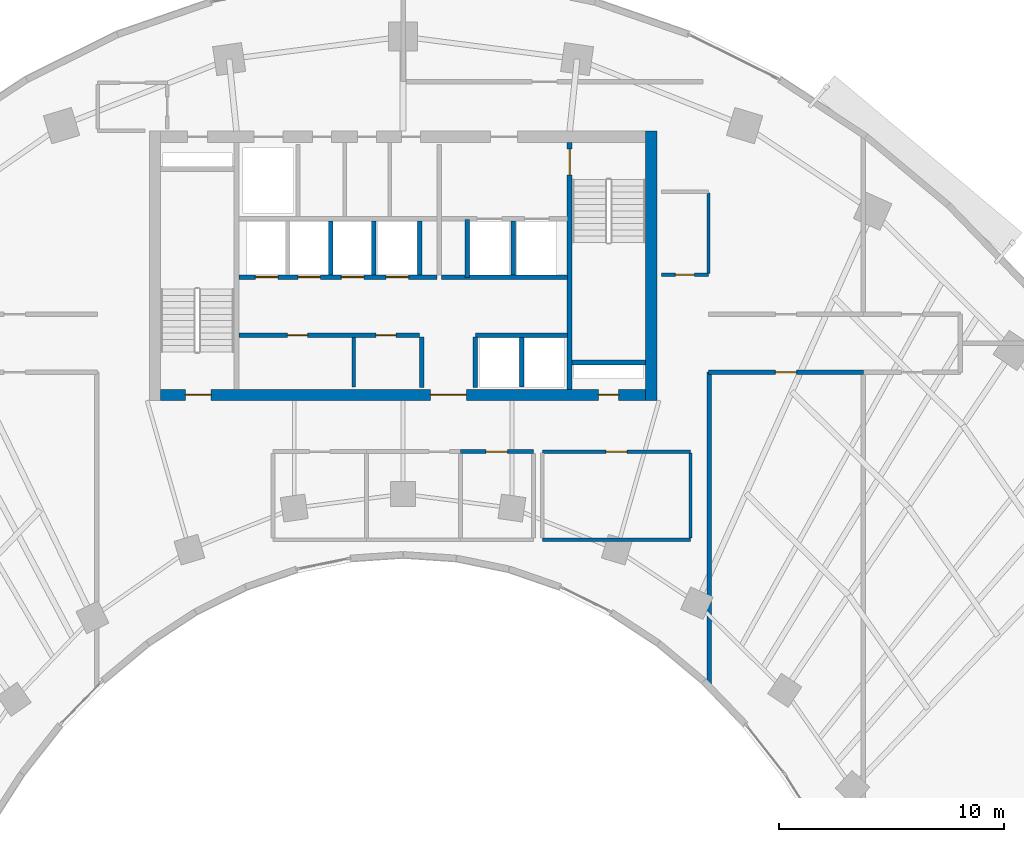
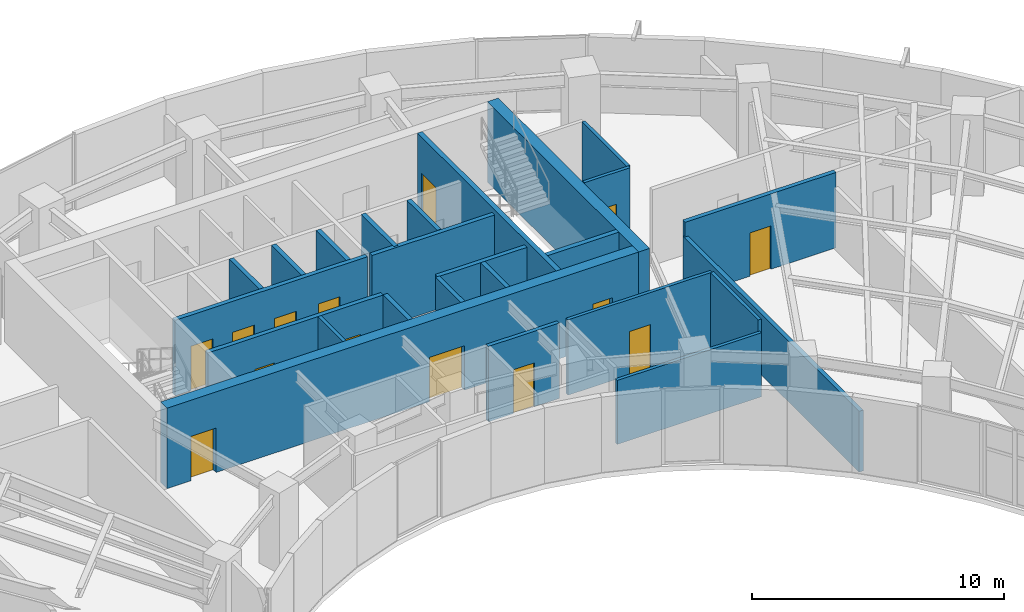
# One storey, part 9 of 14: 25 walls, 14 doors, 14 openings.
"""IFC4 building model written with IfcOpenShell, lengths in metres."""

from ifc_helpers import new_model, si_unit, direction, frame, frame_2d, origin, place, context, subcontext, project, spatial, rectangle, extrude, source, transform, mapped, material, layer, layer_set, type_object, type_shapes, element, fill, save


model = new_model("IFC4")

# Units and contexts
model_context = context("Model", 3, precision=1e-05, world=origin(), true_north=direction((0.0, 1.0)))
body_context = subcontext(model_context, "Body", "Model", "MODEL_VIEW")
ifc_project = project(units=[si_unit("LENGTHUNIT", "METRE"), si_unit("AREAUNIT", "SQUARE_METRE"), si_unit("VOLUMEUNIT", "CUBIC_METRE"), si_unit("PLANEANGLEUNIT", "RADIAN"), si_unit("MASSUNIT", "GRAM", prefix="KILO")], contexts=[model_context])

# Site, building, storey
site_placement = place(None, origin())
site = spatial("IfcSite", under=ifc_project, at=site_placement, CompositionType="ELEMENT")
building_placement = place(site_placement, origin())
building = spatial("IfcBuilding", under=site, at=building_placement, Name="Breltana Convention Tower", CompositionType="ELEMENT")
storey_placement = place(building_placement, frame((0.0, 0.0, 115.5)))
storey = spatial("IfcBuildingStorey", under=building, at=storey_placement, Name="L27", CompositionType="ELEMENT", Elevation=115.5)

# Wall
ifc_material_1 = material(Name="Concrete C60/75", Category="concrete")
ifc_layer_1 = layer(ifc_material_1, 0.5, Name="Concrete C60/75")
ifc_layer_set_1 = layer_set([ifc_layer_1], Name="Concrete C60/75")
wall_type_1 = type_object("IfcWallType", Name="SW-CORE-500", PredefinedType="SHEAR", material=ifc_layer_set_1)
shared_shape_1 = source(origin(), body_context, "Body", "SweptSolid", [
    extrude(rectangle(XDim=12.0, YDim=0.5, at=frame_2d((6.0, 0.0))), origin(), (0.0, 0.0, 1.0), 3.89990234375),
])
wall_1_placement = place(storey_placement, frame((59.050048828125, 60.199951171875, 0.0), z_axis=(0.0, 0.0, 1.0), x_axis=(0.0, 1.0, 0.0)))
element("IfcWall", 1, at=wall_1_placement, inside=storey, type_object=wall_type_1, Name="L27 East Core Shear Wall", PredefinedType="SHEAR", context=body_context, shape_type="MappedRepresentation", body=[
    mapped(shared_shape_1, transform((0.0, 0.0, 0.0), scale=1.0)),
])

# Wall, openings, doors
shared_shape_2 = source(origin(), body_context, "Body", "SweptSolid", [
    extrude(rectangle(XDim=21.60009765625, YDim=0.5, at=frame_2d((10.800048828125, 0.0))), origin(), (0.0, 0.0, 1.0), 3.89990234375),
])
wall_2_placement = place(storey_placement, frame((37.199951171875, 60.449951171875, 0.0), z_axis=(0.0, 0.0, 1.0), x_axis=(1.0, 0.0, 0.0)))
wall_2 = element("IfcWall", 2, at=wall_2_placement, inside=storey, type_object=wall_type_1, Name="L27 South Core Shear Wall", PredefinedType="SHEAR", context=body_context, shape_type="MappedRepresentation", body=[
    mapped(shared_shape_2, transform((0.0, 0.0, 0.0), scale=1.0)),
])
opening_1_placement = place(wall_2_placement, frame((1.10009765625, 0.0, 0.0)))
opening_1 = element("IfcOpeningElement", 3, at=opening_1_placement, cuts=wall_2, Name="Opening D-11", PredefinedType="OPENING", context=body_context, shape_type="SweptSolid", body=[
    extrude(rectangle(XDim=1.14990234375, YDim=2.14990234375, at=frame_2d((0.574951171875, 1.074951171875))), frame((0.0, 0.260009765625, 0.0), z_axis=(0.0, -1.0, 0.0), x_axis=(1.0, 0.0, 0.0)), (0.0, 0.0, 1.0), 0.52001953125),
])
opening_2_placement = place(wall_2_placement, frame((19.5, 0.0, 0.0)))
opening_2 = element("IfcOpeningElement", 4, at=opening_2_placement, cuts=wall_2, Name="Opening D-18", PredefinedType="OPENING", context=body_context, shape_type="SweptSolid", body=[
    extrude(rectangle(XDim=0.89990234375, YDim=2.10009765625, at=frame_2d((0.449951171875, 1.050048828125))), frame((0.0, 0.260009765625, 0.0), z_axis=(0.0, -1.0, 0.0), x_axis=(1.0, 0.0, 0.0)), (0.0, 0.0, 1.0), 0.52001953125),
])
opening_3_placement = place(wall_2_placement, frame((12.02001953125, 0.0, 0.0)))
opening_3 = element("IfcOpeningElement", 5, at=opening_3_placement, cuts=wall_2, Name="Opening D-02", PredefinedType="OPENING", context=body_context, shape_type="SweptSolid", body=[
    extrude(rectangle(XDim=1.60009765625, YDim=2.14990234375, at=frame_2d((0.800048828125, 1.074951171875))), frame((0.0, 0.260009765625, 0.0), z_axis=(0.0, -1.0, 0.0), x_axis=(1.0, 0.0, 0.0)), (0.0, 0.0, 1.0), 0.52001953125),
])
ifc_material_2 = material(Name="Steel Stair Exit Door", Category="steel")
door_type_1 = type_object("IfcDoorType", Name="DR-FD120-1150", OperationType="NOTDEFINED", PredefinedType="DOOR", material=ifc_material_2)
shared_shape_3 = source(origin(), body_context, "Body", "SweptSolid", [
    extrude(rectangle(XDim=1.14990234375, YDim=2.14990234375, at=frame_2d((0.574951171875, 1.074951171875))), frame((0.0, 0.02490234375, 0.0), z_axis=(0.0, -1.0, 0.0), x_axis=(1.0, 0.0, 0.0)), (0.0, 0.0, 1.0), 0.050048828125),
])
type_shapes(door_type_1, [shared_shape_3])
door_1_placement = place(opening_1_placement, origin())
door_1 = element("IfcDoor", 6, at=door_1_placement, inside=storey, type_object=door_type_1, Name="L27 interior door D-L27-ST1", OperationType="SINGLE_SWING_LEFT", OverallHeight=2.14990234375, OverallWidth=1.14990234375, PredefinedType="DOOR", context=body_context, shape_type="MappedRepresentation", body=[
    mapped(shared_shape_3, transform((0.0, 0.0, 0.0), scale=1.0)),
])
fill(opening_1, door_1)
ifc_material_3 = material(Name="Steel Riser Fire Door", Category="steel")
door_type_2 = type_object("IfcDoorType", Name="DR-FD60-900", OperationType="NOTDEFINED", PredefinedType="DOOR", material=ifc_material_3)
shared_shape_4 = source(origin(), body_context, "Body", "SweptSolid", [
    extrude(rectangle(XDim=0.89990234375, YDim=2.10009765625, at=frame_2d((0.449951171875, 1.050048828125))), frame((0.0, 0.02490234375, 0.0), z_axis=(0.0, -1.0, 0.0), x_axis=(1.0, 0.0, 0.0)), (0.0, 0.0, 1.0), 0.050048828125),
])
type_shapes(door_type_2, [shared_shape_4])
door_2_placement = place(opening_2_placement, origin())
door_2 = element("IfcDoor", 7, at=door_2_placement, inside=storey, type_object=door_type_2, Name="L27 Core Riser Access Door D-L27-RS2", OperationType="SINGLE_SWING_RIGHT", OverallHeight=2.10009765625, OverallWidth=0.89990234375, PredefinedType="DOOR", context=body_context, shape_type="MappedRepresentation", body=[
    mapped(shared_shape_4, transform((0.0, 0.0, 0.0), scale=1.0)),
])
fill(opening_2, door_2)
ifc_material_4 = material(Name="Steel Glazed Smoke-Control Door", Category="steel")
door_type_3 = type_object("IfcDoorType", Name="DR-DBL-FD90-1600", OperationType="DOUBLE_DOOR_SINGLE_SWING", PredefinedType="DOOR", material=ifc_material_4)
shared_shape_5 = source(origin(), body_context, "Body", "SweptSolid", [
    extrude(rectangle(XDim=1.60009765625, YDim=2.14990234375, at=frame_2d((0.800048828125, 1.074951171875))), frame((0.0, 0.02490234375, 0.0), z_axis=(0.0, -1.0, 0.0), x_axis=(1.0, 0.0, 0.0)), (0.0, 0.0, 1.0), 0.050048828125),
])
type_shapes(door_type_3, [shared_shape_5])
door_3_placement = place(opening_3_placement, origin())
door_3 = element("IfcDoor", 8, at=door_3_placement, inside=storey, type_object=door_type_3, Name="L27 interior door D-L27-LLB-S", OperationType="DOUBLE_DOOR_SINGLE_SWING", OverallHeight=2.14990234375, OverallWidth=1.60009765625, PredefinedType="DOOR", context=body_context, shape_type="MappedRepresentation", body=[
    mapped(shared_shape_5, transform((0.0, 0.0, 0.0), scale=1.0)),
])
fill(opening_3, door_3)

# Wall
ifc_material_5 = material(Name="Concrete C50/60", Category="concrete")
ifc_layer_2 = layer(ifc_material_5, 0.39990234375, Name="Concrete C50/60")
ifc_layer_set_2 = layer_set([ifc_layer_2], Name="Concrete C50/60")
wall_type_2 = type_object("IfcWallType", Name="SW-CORE-400", PredefinedType="SHEAR", material=ifc_layer_set_2)
shared_shape_6 = source(origin(), body_context, "Body", "SweptSolid", [
    extrude(rectangle(XDim=3.27001953125, YDim=0.219970703125, at=frame_2d((1.635009765625, 0.0))), origin(), (0.0, 0.0, 1.0), 3.89990234375),
])
wall_3_placement = place(storey_placement, frame((55.530029296875, 61.889892578125, 0.0), z_axis=(0.0, 0.0, 1.0), x_axis=(1.0, 0.0, 0.0)))
element("IfcWall", 9, at=wall_3_placement, inside=storey, type_object=wall_type_2, Name="L27 ST-2 Stairwell South Bearing Wall", PredefinedType="SHEAR", context=body_context, shape_type="MappedRepresentation", body=[
    mapped(shared_shape_6, transform((0.0, 0.0, 0.0), scale=1.0)),
])

# Wall, opening, door
shared_shape_7 = source(origin(), body_context, "Body", "SweptSolid", [
    extrude(rectangle(XDim=11.0, YDim=0.219970703125, at=frame_2d((5.5, 0.0))), origin(), (0.0, 0.0, 1.0), 3.89990234375),
])
wall_4_placement = place(storey_placement, frame((55.419921875, 60.699951171875, 0.0), z_axis=(0.0, 0.0, 1.0), x_axis=(0.0, 1.0, 0.0)))
wall_4 = element("IfcWall", 10, at=wall_4_placement, inside=storey, type_object=wall_type_2, Name="L27 Core East Stair Spine Wall", PredefinedType="SHEAR", context=body_context, shape_type="MappedRepresentation", body=[
    mapped(shared_shape_7, transform((0.0, 0.0, 0.0), scale=1.0)),
])
opening_4_placement = place(wall_4_placement, frame((9.544921875, 0.0, 0.0)))
opening_4 = element("IfcOpeningElement", 11, at=opening_4_placement, cuts=wall_4, Name="Opening D-11", PredefinedType="OPENING", context=body_context, shape_type="SweptSolid", body=[
    extrude(rectangle(XDim=1.14990234375, YDim=2.14990234375, at=frame_2d((0.574951171875, 1.074951171875))), frame((0.0, 0.1201171875, 0.0), z_axis=(0.0, -1.0, 0.0), x_axis=(1.0, 0.0, 0.0)), (0.0, 0.0, 1.0), 0.239990234375),
])
door_4_placement = place(opening_4_placement, origin())
door_4 = element("IfcDoor", 12, at=door_4_placement, inside=storey, type_object=door_type_1, Name="L27 interior door D-L27-ST2", OperationType="SINGLE_SWING_LEFT", OverallHeight=2.14990234375, OverallWidth=1.14990234375, PredefinedType="DOOR", context=body_context, shape_type="MappedRepresentation", body=[
    mapped(shared_shape_3, transform((0.0, 0.0, 0.0), scale=1.0)),
])
fill(opening_4, door_4)

# Walls
ifc_material_6 = material(Name="Autoclaved Aerated Concrete Block", Category="concrete")
ifc_layer_3 = layer(ifc_material_6, 0.199951171875, Name="Autoclaved Aerated Concrete Block")
ifc_layer_set_3 = layer_set([ifc_layer_3], Name="Autoclaved Aerated Concrete Block")
wall_type_3 = type_object("IfcWallType", Name="WL-SHAFT-200", PredefinedType="SOLIDWALL", material=ifc_layer_set_3)
shared_shape_8 = source(origin(), body_context, "Body", "SweptSolid", [
    extrude(rectangle(XDim=2.239990234375, YDim=0.199951171875, at=frame_2d((1.1201171875, 0.0))), origin(), (0.0, 0.0, 1.0), 3.64990234375),
])
for number, where, z_axis, x_axis, name in (
    (13, (48.820068359375, 60.780029296875, 0.0), (0.0, 0.0, 1.0), (0.0, 1.0, 0.0), "L27 interior partition W-L27-PORT-W"),
    (14, (51.219970703125, 60.780029296875, 0.0), (0.0, 0.0, 1.0), (0.0, 1.0, 0.0), "L27 interior partition W-L27-PORT-E"),
):
    element("IfcWall", number, at=place(storey_placement, frame(where, z_axis=z_axis, x_axis=x_axis)), inside=storey, type_object=wall_type_3, Name=name, PredefinedType="SOLIDWALL", context=body_context, shape_type="MappedRepresentation", body=[
        mapped(shared_shape_8, transform((0.0, 0.0, 0.0), scale=1.0)),
    ])
shared_shape_9 = source(origin(), body_context, "Body", "SweptSolid", [
    extrude(rectangle(XDim=5.6201171875, YDim=0.199951171875, at=frame_2d((2.81005859375, 0.0))), origin(), (0.0, 0.0, 1.0), 3.64990234375),
])
wall_5_placement = place(storey_placement, frame((49.699951171875, 65.679931640625, 0.0), z_axis=(0.0, 0.0, 1.0), x_axis=(1.0, 0.0, 0.0)))
element("IfcWall", 15, at=wall_5_placement, inside=storey, type_object=wall_type_3, Name="L27 interior partition W-L27-FL-S", PredefinedType="SOLIDWALL", context=body_context, shape_type="MappedRepresentation", body=[
    mapped(shared_shape_9, transform((0.0, 0.0, 0.0), scale=1.0)),
])
shared_shape_10 = source(origin(), body_context, "Body", "SweptSolid", [
    extrude(rectangle(XDim=2.580078125, YDim=0.199951171875, at=frame_2d((1.2900390625, 0.0))), origin(), (0.0, 0.0, 1.0), 3.64990234375),
])
wall_6_placement = place(storey_placement, frame((50.85009765625, 65.679931640625, 0.0), z_axis=(0.0, 0.0, 1.0), x_axis=(0.0, 1.0, 0.0)))
element("IfcWall", 16, at=wall_6_placement, inside=storey, type_object=wall_type_3, Name="L27 interior partition W-L27-FL-W", PredefinedType="SOLIDWALL", context=body_context, shape_type="MappedRepresentation", body=[
    mapped(shared_shape_10, transform((0.0, 0.0, 0.0), scale=1.0)),
])
shared_shape_11 = source(origin(), body_context, "Body", "SweptSolid", [
    extrude(rectangle(XDim=2.39990234375, YDim=0.199951171875, at=frame_2d((1.199951171875, 0.0))), origin(), (0.0, 0.0, 1.0), 3.64990234375),
])
for number, where, z_axis, x_axis, name in (
    (17, (52.89990234375, 65.800048828125, 0.0), (0.0, 0.0, 1.0), (0.0, 1.0, 0.0), "L27 interior partition W-L27-FL-DIV"),
    (18, (48.75, 65.800048828125, 0.0), (0.0, 0.0, 1.0), (0.0, 1.0, 0.0), "L27 interior partition W-L27-SH-M-END"),
    (19, (44.77001953125, 65.800048828125, 0.0), (0.0, 0.0, 1.0), (0.0, 1.0, 0.0), "L27 interior partition W-L27-SH-M-DIV2"),
    (20, (46.699951171875, 65.800048828125, 0.0), (0.0, 0.0, 1.0), (0.0, 1.0, 0.0), "L27 interior partition W-L27-SH-M-DIV3"),
):
    element("IfcWall", number, at=place(storey_placement, frame(where, z_axis=z_axis, x_axis=x_axis)), inside=storey, type_object=wall_type_3, Name=name, PredefinedType="SOLIDWALL", context=body_context, shape_type="MappedRepresentation", body=[
        mapped(shared_shape_11, transform((0.0, 0.0, 0.0), scale=1.0)),
    ])

# Wall, openings, doors
shared_shape_12 = source(origin(), body_context, "Body", "SweptSolid", [
    extrude(rectangle(XDim=8.800048828125, YDim=0.199951171875, at=frame_2d((4.39990234375, 0.0))), origin(), (0.0, 0.0, 1.0), 3.64990234375),
])
wall_7_placement = place(storey_placement, frame((40.699951171875, 65.699951171875, 0.0), z_axis=(0.0, 0.0, 1.0), x_axis=(1.0, 0.0, 0.0)))
wall_7 = element("IfcWall", 21, at=wall_7_placement, inside=storey, type_object=wall_type_3, Name="L27 interior partition W-L27-SH-M-FRONT", PredefinedType="SOLIDWALL", context=body_context, shape_type="MappedRepresentation", body=[
    mapped(shared_shape_12, transform((0.0, 0.0, 0.0), scale=1.0)),
])
opening_5_placement = place(wall_7_placement, frame((0.719970703125, 0.0, 0.0)))
opening_5 = element("IfcOpeningElement", 22, at=opening_5_placement, cuts=wall_7, Name="Opening LD-04", PredefinedType="OPENING", context=body_context, shape_type="SweptSolid", body=[
    extrude(rectangle(XDim=1.0, YDim=2.14990234375, at=frame_2d((0.5, 1.074951171875))), frame((0.0, 0.10986328125, 0.0), z_axis=(0.0, -1.0, 0.0), x_axis=(1.0, 0.0, 0.0)), (0.0, 0.0, 1.0), 0.219970703125),
])
opening_6_placement = place(wall_7_placement, frame((2.6201171875, 0.0, 0.0)))
opening_6 = element("IfcOpeningElement", 23, at=opening_6_placement, cuts=wall_7, Name="Opening LD-04", PredefinedType="OPENING", context=body_context, shape_type="SweptSolid", body=[
    extrude(rectangle(XDim=1.0, YDim=2.14990234375, at=frame_2d((0.5, 1.074951171875))), frame((0.0, 0.10986328125, 0.0), z_axis=(0.0, -1.0, 0.0), x_axis=(1.0, 0.0, 0.0)), (0.0, 0.0, 1.0), 0.219970703125),
])
opening_7_placement = place(wall_7_placement, frame((4.550048828125, 0.0, 0.0)))
opening_7 = element("IfcOpeningElement", 24, at=opening_7_placement, cuts=wall_7, Name="Opening LD-04", PredefinedType="OPENING", context=body_context, shape_type="SweptSolid", body=[
    extrude(rectangle(XDim=1.0, YDim=2.14990234375, at=frame_2d((0.5, 1.074951171875))), frame((0.0, 0.10986328125, 0.0), z_axis=(0.0, -1.0, 0.0), x_axis=(1.0, 0.0, 0.0)), (0.0, 0.0, 1.0), 0.219970703125),
])
opening_8_placement = place(wall_7_placement, frame((6.550048828125, 0.0, 0.0)))
opening_8 = element("IfcOpeningElement", 25, at=opening_8_placement, cuts=wall_7, Name="Opening LD-04", PredefinedType="OPENING", context=body_context, shape_type="SweptSolid", body=[
    extrude(rectangle(XDim=1.0, YDim=2.14990234375, at=frame_2d((0.5, 1.074951171875))), frame((0.0, 0.10986328125, 0.0), z_axis=(0.0, -1.0, 0.0), x_axis=(1.0, 0.0, 0.0)), (0.0, 0.0, 1.0), 0.219970703125),
])
ifc_material_7 = material(Name="Stainless Steel Brushed", Category="steel")
door_type_4 = type_object("IfcDoorType", Name="DR-LD-PAX-1000", OperationType="DOUBLE_DOOR_SLIDING", PredefinedType="DOOR", material=ifc_material_7)
shared_shape_13 = source(origin(), body_context, "Body", "SweptSolid", [
    extrude(rectangle(XDim=1.0, YDim=2.14990234375, at=frame_2d((0.5, 1.074951171875))), frame((0.0, 0.02490234375, 0.0), z_axis=(0.0, -1.0, 0.0), x_axis=(1.0, 0.0, 0.0)), (0.0, 0.0, 1.0), 0.050048828125),
])
type_shapes(door_type_4, [shared_shape_13])
door_5_placement = place(opening_5_placement, origin())
door_5 = element("IfcDoor", 26, at=door_5_placement, inside=storey, type_object=door_type_4, Name="L27 Lift Landing Door D-L27-LD-M1", OperationType="DOUBLE_DOOR_SLIDING", OverallHeight=2.14990234375, OverallWidth=1.0, PredefinedType="DOOR", context=body_context, shape_type="MappedRepresentation", body=[
    mapped(shared_shape_13, transform((0.0, 0.0, 0.0), scale=1.0)),
])
fill(opening_5, door_5)
door_6_placement = place(opening_6_placement, origin())
door_6 = element("IfcDoor", 27, at=door_6_placement, inside=storey, type_object=door_type_4, Name="L27 Lift Landing Door D-L27-LD-M2", OperationType="DOUBLE_DOOR_SLIDING", OverallHeight=2.14990234375, OverallWidth=1.0, PredefinedType="DOOR", context=body_context, shape_type="MappedRepresentation", body=[
    mapped(shared_shape_13, transform((0.0, 0.0, 0.0), scale=1.0)),
])
fill(opening_6, door_6)
door_7_placement = place(opening_7_placement, origin())
door_7 = element("IfcDoor", 28, at=door_7_placement, inside=storey, type_object=door_type_4, Name="L27 Lift Landing Door D-L27-LD-M3", OperationType="DOUBLE_DOOR_SLIDING", OverallHeight=2.14990234375, OverallWidth=1.0, PredefinedType="DOOR", context=body_context, shape_type="MappedRepresentation", body=[
    mapped(shared_shape_13, transform((0.0, 0.0, 0.0), scale=1.0)),
])
fill(opening_7, door_7)
door_8_placement = place(opening_8_placement, origin())
door_8 = element("IfcDoor", 29, at=door_8_placement, inside=storey, type_object=door_type_4, Name="L27 Lift Landing Door D-L27-LD-M4", OperationType="DOUBLE_DOOR_SLIDING", OverallHeight=2.14990234375, OverallWidth=1.0, PredefinedType="DOOR", context=body_context, shape_type="MappedRepresentation", body=[
    mapped(shared_shape_13, transform((0.0, 0.0, 0.0), scale=1.0)),
])
fill(opening_8, door_8)

shared_shape_14 = source(origin(), body_context, "Body", "SweptSolid", [
    extrude(rectangle(XDim=8.02001953125, YDim=0.199951171875, at=frame_2d((4.010009765625, 0.0))), origin(), (0.0, 0.0, 1.0), 3.64990234375),
])
wall_8_placement = place(storey_placement, frame((40.699951171875, 63.10009765625, 0.0), z_axis=(0.0, 0.0, 1.0), x_axis=(1.0, 0.0, 0.0)))
wall_8 = element("IfcWall", 30, at=wall_8_placement, inside=storey, type_object=wall_type_3, Name="L27 interior partition W-L27-SH-S-FRONT", PredefinedType="SOLIDWALL", context=body_context, shape_type="MappedRepresentation", body=[
    mapped(shared_shape_14, transform((0.0, 0.0, 0.0), scale=1.0)),
])
opening_9_placement = place(wall_8_placement, frame((2.14990234375, 0.0, 0.0)))
opening_9 = element("IfcOpeningElement", 31, at=opening_9_placement, cuts=wall_8, Name="Opening D-18", PredefinedType="OPENING", context=body_context, shape_type="SweptSolid", body=[
    extrude(rectangle(XDim=0.89990234375, YDim=2.10009765625, at=frame_2d((0.449951171875, 1.050048828125))), frame((0.0, 0.10986328125, 0.0), z_axis=(0.0, -1.0, 0.0), x_axis=(1.0, 0.0, 0.0)), (0.0, 0.0, 1.0), 0.219970703125),
])
opening_10_placement = place(wall_8_placement, frame((6.090087890625, 0.0, 0.0)))
opening_10 = element("IfcOpeningElement", 32, at=opening_10_placement, cuts=wall_8, Name="Opening D-18", PredefinedType="OPENING", context=body_context, shape_type="SweptSolid", body=[
    extrude(rectangle(XDim=0.89990234375, YDim=2.10009765625, at=frame_2d((0.449951171875, 1.050048828125))), frame((0.0, 0.10986328125, 0.0), z_axis=(0.0, -1.0, 0.0), x_axis=(1.0, 0.0, 0.0)), (0.0, 0.0, 1.0), 0.219970703125),
])
door_9_placement = place(opening_9_placement, origin())
door_9 = element("IfcDoor", 33, at=door_9_placement, inside=storey, type_object=door_type_2, Name="L27 interior door D-L27-LV7-B1A", OperationType="SINGLE_SWING_RIGHT", OverallHeight=2.10009765625, OverallWidth=0.89990234375, PredefinedType="DOOR", context=body_context, shape_type="MappedRepresentation", body=[
    mapped(shared_shape_4, transform((0.0, 0.0, 0.0), scale=1.0)),
])
fill(opening_9, door_9)
door_10_placement = place(opening_10_placement, origin())
door_10 = element("IfcDoor", 34, at=door_10_placement, inside=storey, type_object=door_type_2, Name="L27 interior door D-L27-LV7-B1B", OperationType="SINGLE_SWING_LEFT", OverallHeight=2.10009765625, OverallWidth=0.89990234375, PredefinedType="DOOR", context=body_context, shape_type="MappedRepresentation", body=[
    mapped(shared_shape_4, transform((0.0, 0.0, 0.0), scale=1.0)),
])
fill(opening_10, door_10)

# Walls
shared_shape_15 = source(origin(), body_context, "Body", "SweptSolid", [
    extrude(rectangle(XDim=4.10009765625, YDim=0.199951171875, at=frame_2d((2.050048828125, 0.0))), origin(), (0.0, 0.0, 1.0), 3.64990234375),
])
wall_9_placement = place(storey_placement, frame((51.219970703125, 63.10009765625, 0.0), z_axis=(0.0, 0.0, 1.0), x_axis=(1.0, 0.0, 0.0)))
element("IfcWall", 35, at=wall_9_placement, inside=storey, type_object=wall_type_3, Name="L27 interior partition W-L27-SH-X-FRONT", PredefinedType="SOLIDWALL", context=body_context, shape_type="MappedRepresentation", body=[
    mapped(shared_shape_15, transform((0.0, 0.0, 0.0), scale=1.0)),
])
shared_shape_16 = source(origin(), body_context, "Body", "SweptSolid", [
    extrude(rectangle(XDim=2.199951171875, YDim=0.199951171875, at=frame_2d((1.10009765625, 0.0))), origin(), (0.0, 0.0, 1.0), 3.64990234375),
])
wall_10_placement = place(storey_placement, frame((53.280029296875, 60.800048828125, 0.0), z_axis=(0.0, 0.0, 1.0), x_axis=(0.0, 1.0, 0.0)))
element("IfcWall", 36, at=wall_10_placement, inside=storey, type_object=wall_type_3, Name="L27 interior partition W-L27-SH-X-DIV", PredefinedType="SOLIDWALL", context=body_context, shape_type="MappedRepresentation", body=[
    mapped(shared_shape_16, transform((0.0, 0.0, 0.0), scale=1.0)),
])

# Wall, opening, door
ifc_material_8 = material(Name="Moisture-Resistant Gypsum Chase Wall")
ifc_layer_4 = layer(ifc_material_8, 0.179931640625, Name="Moisture-Resistant Gypsum Chase Wall")
ifc_layer_set_4 = layer_set([ifc_layer_4], Name="Moisture-Resistant Gypsum Chase Wall")
wall_type_4 = type_object("IfcWallType", Name="WL-PLUMB-180", PredefinedType="PLUMBINGWALL", material=ifc_layer_set_4)
shared_shape_17 = source(origin(), body_context, "Body", "SweptSolid", [
    extrude(rectangle(XDim=3.248046875, YDim=0.179931640625, at=frame_2d((1.6240234375, 0.0))), origin(), (0.0, 0.0, 1.0), 3.64990234375),
])
wall_11_placement = place(storey_placement, frame((50.552001953125, 57.919921875, 0.0), z_axis=(0.0, 0.0, 1.0), x_axis=(1.0, 0.0, 0.0)))
wall_11 = element("IfcWall", 37, at=wall_11_placement, inside=storey, type_object=wall_type_4, Name="L27 interior partition W-L27-WCA-N", PredefinedType="PLUMBINGWALL", context=body_context, shape_type="MappedRepresentation", body=[
    mapped(shared_shape_17, transform((0.0, 0.0, 0.0), scale=1.0)),
])
opening_11_placement = place(wall_11_placement, frame((1.14892578125, 0.0, 0.0)))
opening_11 = element("IfcOpeningElement", 38, at=opening_11_placement, cuts=wall_11, Name="Opening D-16", PredefinedType="OPENING", context=body_context, shape_type="SweptSolid", body=[
    extrude(rectangle(XDim=0.949951171875, YDim=2.1201171875, at=frame_2d((0.47509765625, 1.06005859375))), frame((0.0, 0.10009765625, 0.0), z_axis=(0.0, -1.0, 0.0), x_axis=(1.0, 0.0, 0.0)), (0.0, 0.0, 1.0), 0.199951171875),
])
ifc_material_9 = material(Name="Timber Laminate Accessible Door", Category="wood")
door_type_5 = type_object("IfcDoorType", Name="DR-ACC-950", OperationType="NOTDEFINED", PredefinedType="DOOR", material=ifc_material_9)
shared_shape_18 = source(origin(), body_context, "Body", "SweptSolid", [
    extrude(rectangle(XDim=0.949951171875, YDim=2.1201171875, at=frame_2d((0.47509765625, 1.06005859375))), frame((0.0, 0.02490234375, 0.0), z_axis=(0.0, -1.0, 0.0), x_axis=(1.0, 0.0, 0.0)), (0.0, 0.0, 1.0), 0.050048828125),
])
type_shapes(door_type_5, [shared_shape_18])
door_11_placement = place(opening_11_placement, origin())
door_11 = element("IfcDoor", 39, at=door_11_placement, inside=storey, type_object=door_type_5, Name="L27 interior door D-L27-WCA", OperationType="SINGLE_SWING_RIGHT", OverallHeight=2.1201171875, OverallWidth=0.949951171875, PredefinedType="DOOR", context=body_context, shape_type="MappedRepresentation", body=[
    mapped(shared_shape_18, transform((0.0, 0.0, 0.0), scale=1.0)),
])
fill(opening_11, door_11)

# Wall
ifc_material_10 = material(Name="Gypsum Acoustic Drywall Partition")
ifc_layer_5 = layer(ifc_material_10, 0.14990234375, Name="Gypsum Acoustic Drywall Partition")
ifc_layer_set_5 = layer_set([ifc_layer_5], Name="Gypsum Acoustic Drywall Partition")
wall_type_5 = type_object("IfcWallType", Name="WL-PART-150", PredefinedType="PARTITIONING", material=ifc_layer_set_5)
shared_shape_19 = source(origin(), body_context, "Body", "SweptSolid", [
    extrude(rectangle(XDim=6.60009765625, YDim=0.14990234375, at=frame_2d((3.300048828125, 0.0))), origin(), (0.0, 0.0, 1.0), 3.094970703125),
])
wall_12_placement = place(storey_placement, frame((54.199951171875, 54.0, 0.0), z_axis=(0.0, 0.0, 1.0), x_axis=(1.0, 0.0, 0.0)))
element("IfcWall", 40, at=wall_12_placement, inside=storey, type_object=wall_type_5, Name="L27 interior partition W-L27-PNT-S", PredefinedType="PARTITIONING", context=body_context, shape_type="MappedRepresentation", body=[
    mapped(shared_shape_19, transform((0.0, 0.0, 0.0), scale=1.0)),
])

# Wall, opening, door
shared_shape_20 = source(origin(), body_context, "Body", "SweptSolid", [
    extrude(rectangle(XDim=6.60009765625, YDim=0.14990234375, at=frame_2d((3.300048828125, 0.0))), origin(), (0.0, 0.0, 1.0), 3.64990234375),
])
wall_13_placement = place(storey_placement, frame((54.199951171875, 57.919921875, 0.0), z_axis=(0.0, 0.0, 1.0), x_axis=(1.0, 0.0, 0.0)))
wall_13 = element("IfcWall", 41, at=wall_13_placement, inside=storey, type_object=wall_type_5, Name="L27 interior partition W-L27-PNT-N", PredefinedType="PARTITIONING", context=body_context, shape_type="MappedRepresentation", body=[
    mapped(shared_shape_20, transform((0.0, 0.0, 0.0), scale=1.0)),
])
opening_12_placement = place(wall_13_placement, frame((2.824951171875, 0.0, 0.0)))
opening_12 = element("IfcOpeningElement", 42, at=opening_12_placement, cuts=wall_13, Name="Opening D-17", PredefinedType="OPENING", context=body_context, shape_type="SweptSolid", body=[
    extrude(rectangle(XDim=0.949951171875, YDim=2.10009765625, at=frame_2d((0.47509765625, 1.050048828125))), frame((0.0, 0.0849609375, 0.0), z_axis=(0.0, -1.0, 0.0), x_axis=(1.0, 0.0, 0.0)), (0.0, 0.0, 1.0), 0.169921875),
])
ifc_material_11 = material(Name="Timber Oak Veneer Door", Category="wood")
door_type_6 = type_object("IfcDoorType", Name="DR-INT-950", OperationType="NOTDEFINED", PredefinedType="DOOR", material=ifc_material_11)
shared_shape_21 = source(origin(), body_context, "Body", "SweptSolid", [
    extrude(rectangle(XDim=0.949951171875, YDim=2.10009765625, at=frame_2d((0.47509765625, 1.050048828125))), frame((0.0, 0.02490234375, 0.0), z_axis=(0.0, -1.0, 0.0), x_axis=(1.0, 0.0, 0.0)), (0.0, 0.0, 1.0), 0.050048828125),
])
type_shapes(door_type_6, [shared_shape_21])
door_12_placement = place(opening_12_placement, origin())
door_12 = element("IfcDoor", 43, at=door_12_placement, inside=storey, type_object=door_type_6, Name="L27 interior door D-L27-PNT", OperationType="SINGLE_SWING_LEFT", OverallHeight=2.10009765625, OverallWidth=0.949951171875, PredefinedType="DOOR", context=body_context, shape_type="MappedRepresentation", body=[
    mapped(shared_shape_21, transform((0.0, 0.0, 0.0), scale=1.0)),
])
fill(opening_12, door_12)

# Walls
shared_shape_22 = source(origin(), body_context, "Body", "SweptSolid", [
    extrude(rectangle(XDim=3.78515625, YDim=0.14990234375, at=frame_2d((1.892578125, 0.0))), origin(), (0.0, 0.0, 1.0), 3.64990234375),
])
wall_14_placement = place(storey_placement, frame((60.800048828125, 54.0673828125, 0.0), z_axis=(0.0, 0.0, 1.0), x_axis=(0.0, 1.0, 0.0)))
element("IfcWall", 44, at=wall_14_placement, inside=storey, type_object=wall_type_5, Name="L27 interior partition W-L27-PNT-E", PredefinedType="PARTITIONING", context=body_context, shape_type="MappedRepresentation", body=[
    mapped(shared_shape_22, transform((0.0, 0.0, 0.0), scale=1.0)),
])
shared_shape_23 = source(origin(), body_context, "Body", "SweptSolid", [
    extrude(rectangle(XDim=2.199951171875, YDim=0.14990234375, at=frame_2d((1.10009765625, 0.0))), origin(), (0.0, 0.0, 1.0), 3.64990234375),
])
wall_15_placement = place(storey_placement, frame((45.800048828125, 60.800048828125, 0.0), z_axis=(0.0, 0.0, 1.0), x_axis=(0.0, 1.0, 0.0)))
element("IfcWall", 45, at=wall_15_placement, inside=storey, type_object=wall_type_5, Name="L27 interior partition W-L27-LV7-B1-DIV", PredefinedType="PARTITIONING", context=body_context, shape_type="MappedRepresentation", body=[
    mapped(shared_shape_23, transform((0.0, 0.0, 0.0), scale=1.0)),
])

# Wall, opening, door
shared_shape_24 = source(origin(), body_context, "Body", "SweptSolid", [
    extrude(rectangle(XDim=2.10009765625, YDim=0.14990234375, at=frame_2d((1.050048828125, 0.0))), origin(), (0.0, 0.0, 1.0), 3.64990234375),
])
wall_16_placement = place(storey_placement, frame((59.5, 65.800048828125, 0.0), z_axis=(0.0, 0.0, 1.0), x_axis=(1.0, 0.0, 0.0)))
wall_16 = element("IfcWall", 46, at=wall_16_placement, inside=storey, type_object=wall_type_5, Name="L27 interior partition W-L27-CRSE-S", PredefinedType="PARTITIONING", context=body_context, shape_type="MappedRepresentation", body=[
    mapped(shared_shape_24, transform((0.0, 0.0, 0.0), scale=1.0)),
])
opening_13_placement = place(wall_16_placement, frame((0.625, 0.0, 0.0)))
opening_13 = element("IfcOpeningElement", 47, at=opening_13_placement, cuts=wall_16, Name="Opening D-20", PredefinedType="OPENING", context=body_context, shape_type="SweptSolid", body=[
    extrude(rectangle(XDim=0.85009765625, YDim=2.10009765625, at=frame_2d((0.425048828125, 1.050048828125))), frame((0.0, 0.0849609375, 0.0), z_axis=(0.0, -1.0, 0.0), x_axis=(1.0, 0.0, 0.0)), (0.0, 0.0, 1.0), 0.169921875),
])
ifc_material_12 = material(Name="Steel Closet Fire Door", Category="steel")
door_type_7 = type_object("IfcDoorType", Name="DR-FD60-850", OperationType="NOTDEFINED", PredefinedType="DOOR", material=ifc_material_12)
shared_shape_25 = source(origin(), body_context, "Body", "SweptSolid", [
    extrude(rectangle(XDim=0.85009765625, YDim=2.10009765625, at=frame_2d((0.425048828125, 1.050048828125))), frame((0.0, 0.02490234375, 0.0), z_axis=(0.0, -1.0, 0.0), x_axis=(1.0, 0.0, 0.0)), (0.0, 0.0, 1.0), 0.050048828125),
])
type_shapes(door_type_7, [shared_shape_25])
door_13_placement = place(opening_13_placement, origin())
door_13 = element("IfcDoor", 48, at=door_13_placement, inside=storey, type_object=door_type_7, Name="L27 interior door D-L27-CRSE", OperationType="SINGLE_SWING_LEFT", OverallHeight=2.10009765625, OverallWidth=0.85009765625, PredefinedType="DOOR", context=body_context, shape_type="MappedRepresentation", body=[
    mapped(shared_shape_25, transform((0.0, 0.0, 0.0), scale=1.0)),
])
fill(opening_13, door_13)

# Wall
shared_shape_26 = source(origin(), body_context, "Body", "SweptSolid", [
    extrude(rectangle(XDim=3.565185546875, YDim=0.14990234375, at=frame_2d((1.78271484375, 0.0))), origin(), (0.0, 0.0, 1.0), 3.64990234375),
])
wall_17_placement = place(storey_placement, frame((61.60009765625, 65.867431640625, 0.0), z_axis=(0.0, 0.0, 1.0), x_axis=(0.0, 1.0, 0.0)))
element("IfcWall", 49, at=wall_17_placement, inside=storey, type_object=wall_type_5, Name="L27 interior partition W-L27-CRSE-E", PredefinedType="PARTITIONING", context=body_context, shape_type="MappedRepresentation", body=[
    mapped(shared_shape_26, transform((0.0, 0.0, 0.0), scale=1.0)),
])

# Wall, opening, door
ifc_material_13 = material(Name="Gypsum Acoustic Hotel Wall")
ifc_layer_6 = layer(ifc_material_13, 0.195068359375, Name="Gypsum Acoustic Hotel Wall")
ifc_layer_set_6 = layer_set([ifc_layer_6], Name="Gypsum Acoustic Hotel Wall")
wall_type_6 = type_object("IfcWallType", Name="WL-HOTEL-200", PredefinedType="PARTITIONING", material=ifc_layer_set_6)
shared_shape_27 = source(origin(), body_context, "Body", "SweptSolid", [
    extrude(rectangle(XDim=6.89990234375, YDim=0.195068359375, at=frame_2d((3.449951171875, 0.0))), origin(), (0.0, 0.0, 1.0), 3.64990234375),
])
wall_18_placement = place(storey_placement, frame((61.60009765625, 61.4599609375, 0.0), z_axis=(0.0, 0.0, 1.0), x_axis=(1.0, 0.0, 0.0)))
wall_18 = element("IfcWall", 50, at=wall_18_placement, inside=storey, type_object=wall_type_6, Name="L27 interior partition W-L27-ZES1-D", PredefinedType="PARTITIONING", context=body_context, shape_type="MappedRepresentation", body=[
    mapped(shared_shape_27, transform((0.0, 0.0, 0.0), scale=1.0)),
])
opening_14_placement = place(wall_18_placement, frame((2.97509765625, 0.0, 0.0)))
opening_14 = element("IfcOpeningElement", 51, at=opening_14_placement, cuts=wall_18, Name="Opening D-17", PredefinedType="OPENING", context=body_context, shape_type="SweptSolid", body=[
    extrude(rectangle(XDim=0.949951171875, YDim=2.10009765625, at=frame_2d((0.47509765625, 1.050048828125))), frame((0.0, 0.107421875, 0.0), z_axis=(0.0, -1.0, 0.0), x_axis=(1.0, 0.0, 0.0)), (0.0, 0.0, 1.0), 0.215087890625),
])
door_14_placement = place(opening_14_placement, origin())
door_14 = element("IfcDoor", 52, at=door_14_placement, inside=storey, type_object=door_type_6, Name="L27 interior door D-L27-ZES1", OperationType="SINGLE_SWING_RIGHT", OverallHeight=2.10009765625, OverallWidth=0.949951171875, PredefinedType="DOOR", context=body_context, shape_type="MappedRepresentation", body=[
    mapped(shared_shape_21, transform((0.0, 0.0, 0.0), scale=1.0)),
])
fill(opening_14, door_14)

# Wall
shared_shape_28 = source(origin(), body_context, "Body", "SweptSolid", [
    extrude(rectangle(XDim=13.987548828125, YDim=0.195068359375, at=frame_2d((6.99365234375, 0.0))), origin(), (0.0, 0.0, 1.0), 2.94189453125),
])
wall_19_placement = place(storey_placement, frame((61.639892578125, 47.472412109375, 0.0), z_axis=(0.0, 0.0, 1.0), x_axis=(0.0, 1.0, 0.0)))
element("IfcWall", 53, at=wall_19_placement, inside=storey, type_object=wall_type_6, Name="L27 interior partition W-L27-ZODD-EC", PredefinedType="PARTITIONING", context=body_context, shape_type="MappedRepresentation", body=[
    mapped(shared_shape_28, transform((0.0, 0.0, 0.0), scale=1.0)),
])

save(model, "model.ifc")
